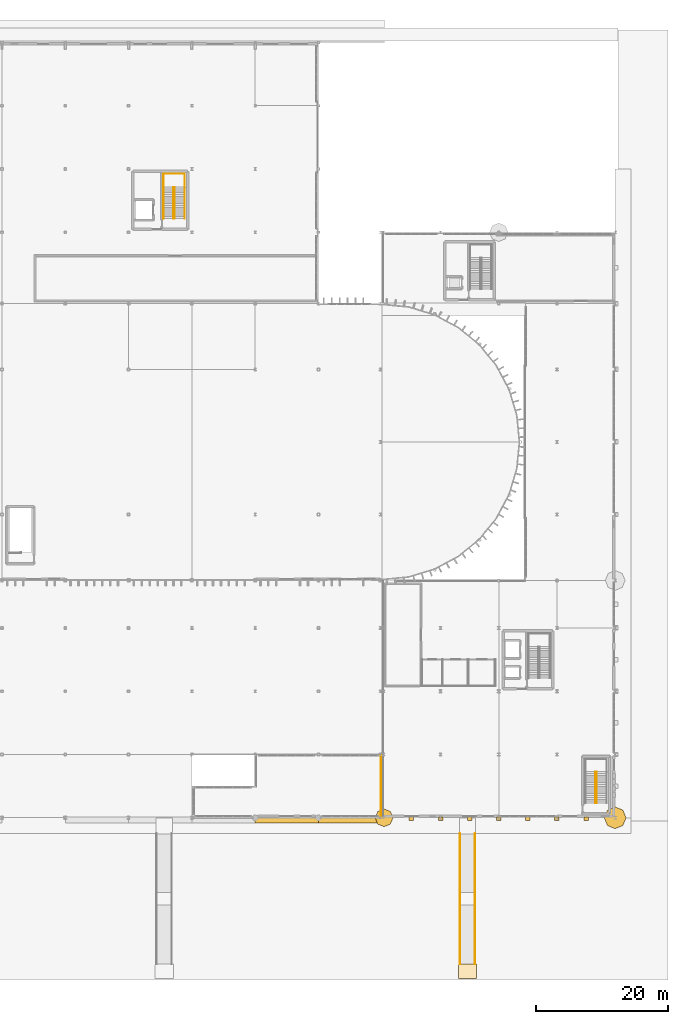
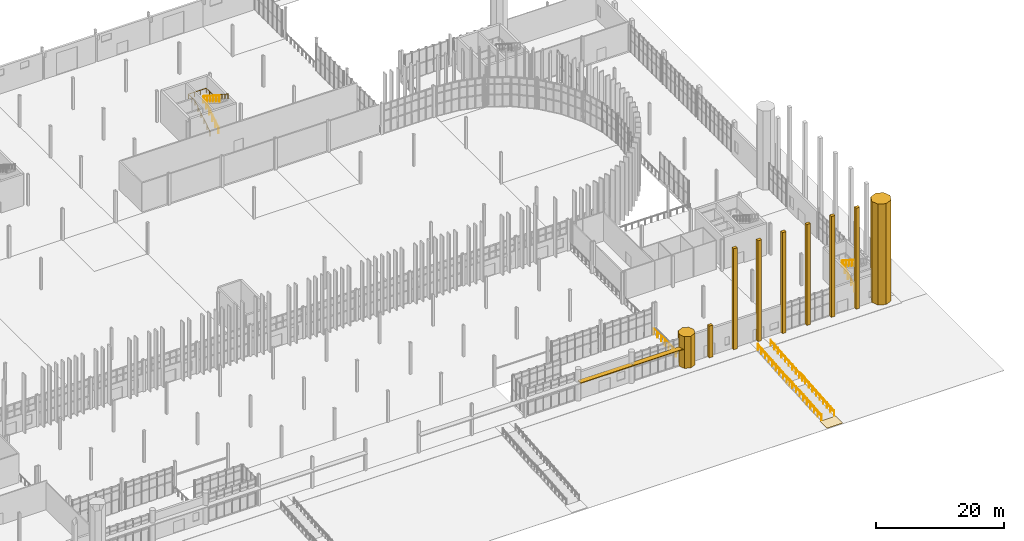
# One storey, part 127 of 139: 10 coverings, 8 railings, 2 shading devices.
"""IFC4 building model written with IfcOpenShell, lengths in metres."""

from ifc_helpers import new_model, si_unit, direction, frame, origin, origin_2d, place, context, subcontext, project, spatial, polyline, rectangle, circle, outline, extrude, material, layer, layer_set, type_object, element, save


model = new_model("IFC4")

# Units and contexts
model_context = context("Model", 3, precision=1e-05, world=origin(), true_north=direction((0.0, 1.0)))
body_context = subcontext(model_context, "Body", "Model", "MODEL_VIEW")
ifc_project = project(units=[si_unit("LENGTHUNIT", "METRE"), si_unit("AREAUNIT", "SQUARE_METRE"), si_unit("VOLUMEUNIT", "CUBIC_METRE"), si_unit("PLANEANGLEUNIT", "RADIAN"), si_unit("MASSUNIT", "GRAM", prefix="KILO")], contexts=[model_context])

# Site, building, storey
site_placement = place(None, origin())
site = spatial("IfcSite", under=ifc_project, at=site_placement, CompositionType="ELEMENT")
building_placement = place(site_placement, origin())
building = spatial("IfcBuilding", under=site, at=building_placement, Name="Yeouljin Market Hall", CompositionType="ELEMENT")
storey_placement = place(building_placement, origin())
storey = spatial("IfcBuildingStorey", under=building, at=storey_placement, Name="L00", CompositionType="ELEMENT", Elevation=0.0)

# Coverings
ifc_material_1 = material(Name="Clinker Brick Masonry F2-S2", Category="masonry")
ifc_layer_1 = layer(ifc_material_1, 0.5400390625)
ifc_layer_set_1 = layer_set([ifc_layer_1], Name="Clinker Brick Masonry F2-S2")
covering_type_1 = type_object("IfcCoveringType", Name="Covering_Clinker_PleatedPier", PredefinedType="CLADDING", material=ifc_layer_set_1)
covering_1_placement = place(storey_placement, origin())
element("IfcCovering", 1, at=covering_1_placement, inside=storey, type_object=covering_type_1, Name="Amsterdam School sculpted brick corner turret SE-MAIN", PredefinedType="CLADDING", context=body_context, shape_type="SweptSolid", body=[
    extrude(outline(polyline([(178.050048828125, 0.0), (177.566650390625, 1.166748046875), (176.39990234375, 1.64990234375), (175.2333984375, 1.166748046875), (174.75, 0.0), (175.2333984375, -1.166748046875), (176.39990234375, -1.64990234375), (177.566650390625, -1.166748046875), (178.050048828125, 0.0)])), origin(), (0.0, 0.0, 1.0), 19.25),
])
covering_2_placement = place(storey_placement, origin())
element("IfcCovering", 2, at=covering_2_placement, inside=storey, type_object=covering_type_1, Name="Amsterdam School sculpted brick corner turret PORT-E", PredefinedType="CLADDING", context=body_context, shape_type="SweptSolid", body=[
    extrude(outline(polyline([(142.699951171875, 0.0), (142.3046875, 0.95458984375), (141.35009765625, 1.35009765625), (140.3955078125, 0.95458984375), (140.0, 0.0), (140.3955078125, -0.95458984375), (141.35009765625, -1.35009765625), (142.3046875, -0.95458984375), (142.699951171875, 0.0)])), origin(), (0.0, 0.0, 1.0), 6.050048828125),
])
covering_3_placement = place(storey_placement, origin())
element("IfcCovering", 3, at=covering_3_placement, inside=storey, type_object=covering_type_1, Name="Pleated clinker-brick boulevard pier S-008", PredefinedType="CLADDING", context=body_context, shape_type="SweptSolid", body=[
    extrude(outline(polyline([(145.159912109375, -0.419921875), (145.840087890625, -0.419921875), (145.840087890625, 0.1201171875), (145.159912109375, 0.1201171875), (145.159912109375, -0.419921875)])), origin(), (0.0, 0.0, 1.0), 6.050048828125),
])
covering_4_placement = place(storey_placement, origin())
element("IfcCovering", 4, at=covering_4_placement, inside=storey, type_object=covering_type_1, Name="Pleated clinker-brick boulevard pier S-009", PredefinedType="CLADDING", context=body_context, shape_type="SweptSolid", body=[
    extrude(outline(polyline([(149.570068359375, -0.419921875), (150.25, -0.419921875), (150.25, 0.1201171875), (149.570068359375, 0.1201171875), (149.570068359375, -0.419921875)])), origin(), (0.0, 0.0, 1.0), 19.25),
])
covering_5_placement = place(storey_placement, origin())
element("IfcCovering", 5, at=covering_5_placement, inside=storey, type_object=covering_type_1, Name="Pleated clinker-brick boulevard pier S-010", PredefinedType="CLADDING", context=body_context, shape_type="SweptSolid", body=[
    extrude(outline(polyline([(153.97998046875, -0.419921875), (154.659912109375, -0.419921875), (154.659912109375, 0.1201171875), (153.97998046875, 0.1201171875), (153.97998046875, -0.419921875)])), origin(), (0.0, 0.0, 1.0), 19.25),
])
covering_6_placement = place(storey_placement, origin())
element("IfcCovering", 6, at=covering_6_placement, inside=storey, type_object=covering_type_1, Name="Pleated clinker-brick boulevard pier S-011", PredefinedType="CLADDING", context=body_context, shape_type="SweptSolid", body=[
    extrude(outline(polyline([(158.39990234375, -0.419921875), (159.080078125, -0.419921875), (159.080078125, 0.1201171875), (158.39990234375, 0.1201171875), (158.39990234375, -0.419921875)])), origin(), (0.0, 0.0, 1.0), 19.25),
])
covering_7_placement = place(storey_placement, origin())
element("IfcCovering", 7, at=covering_7_placement, inside=storey, type_object=covering_type_1, Name="Pleated clinker-brick boulevard pier S-012", PredefinedType="CLADDING", context=body_context, shape_type="SweptSolid", body=[
    extrude(outline(polyline([(162.81005859375, -0.419921875), (163.489990234375, -0.419921875), (163.489990234375, 0.1201171875), (162.81005859375, 0.1201171875), (162.81005859375, -0.419921875)])), origin(), (0.0, 0.0, 1.0), 19.25),
])
covering_8_placement = place(storey_placement, origin())
element("IfcCovering", 8, at=covering_8_placement, inside=storey, type_object=covering_type_1, Name="Pleated clinker-brick boulevard pier S-013", PredefinedType="CLADDING", context=body_context, shape_type="SweptSolid", body=[
    extrude(outline(polyline([(167.22998046875, -0.419921875), (167.909912109375, -0.419921875), (167.909912109375, 0.1201171875), (167.22998046875, 0.1201171875), (167.22998046875, -0.419921875)])), origin(), (0.0, 0.0, 1.0), 19.25),
])
covering_9_placement = place(storey_placement, origin())
element("IfcCovering", 9, at=covering_9_placement, inside=storey, type_object=covering_type_1, Name="Pleated clinker-brick boulevard pier S-014", PredefinedType="CLADDING", context=body_context, shape_type="SweptSolid", body=[
    extrude(outline(polyline([(171.659912109375, -0.419921875), (172.340087890625, -0.419921875), (172.340087890625, 0.1201171875), (171.659912109375, 0.1201171875), (171.659912109375, -0.419921875)])), origin(), (0.0, 0.0, 1.0), 19.25),
])
ifc_material_2 = material(Name="Pocheon Granite Stone", Category="masonry")
ifc_layer_2 = layer(ifc_material_2, 0.050048828125)
ifc_layer_set_2 = layer_set([ifc_layer_2], Name="Pocheon Granite Stone")
covering_type_2 = type_object("IfcCoveringType", Name="Covering_Granite_PlinthPaving", PredefinedType="FLOORING", material=ifc_layer_set_2)
covering_10_placement = place(storey_placement, frame((0.0, 0.0, -1.5400390625)))
element("IfcCovering", 10, at=covering_10_placement, inside=storey, type_object=covering_type_2, Name="Street sidewalk landing 04", PredefinedType="FLOORING", context=body_context, shape_type="SweptSolid", body=[
    extrude(outline(polyline([(152.60009765625, -24.39990234375), (155.39990234375, -24.39990234375), (155.39990234375, -22.199951171875), (152.60009765625, -22.199951171875), (152.60009765625, -24.39990234375)])), origin(), (0.0, 0.0, 1.0), 0.10009765625),
])

# Railings
ifc_material_3 = material(Name="Wrought Iron and Bronze Gallery Balustrade")
railing_type_1 = type_object("IfcRailingType", Name="Railing_AtriumBalustrade_1200", PredefinedType="BALUSTRADE", material=ifc_material_3)
railing_1_placement = place(storey_placement, frame((140.89990234375, 9.449951171875, 0.0)))
element("IfcRailing", 11, at=railing_1_placement, inside=storey, type_object=railing_type_1, Name="Gallery & deck edge balustrade L00-037", PredefinedType="BALUSTRADE", context=body_context, shape_type="SweptSolid", body=[
    extrude(circle(Radius=0.02392578125, at=origin_2d()), frame((0.0, 0.0, 1.17578125), z_axis=(0.0, -1.0, 0.0), x_axis=(1.0, 0.0, 0.0)), (0.0, 0.0, 1.0), 9.25),
    extrude(circle(Radius=0.02099609375, at=origin_2d()), origin(), (0.0, 0.0, 1.0), 1.15185546875),
    extrude(circle(Radius=0.02099609375, at=origin_2d()), frame((0.0, -1.15625, 0.0)), (0.0, 0.0, 1.0), 1.15185546875),
    extrude(circle(Radius=0.02099609375, at=origin_2d()), frame((0.0, -2.3125, 0.0)), (0.0, 0.0, 1.0), 1.15185546875),
    extrude(circle(Radius=0.02099609375, at=origin_2d()), frame((0.0, -3.46875, 0.0)), (0.0, 0.0, 1.0), 1.15185546875),
    extrude(circle(Radius=0.02099609375, at=origin_2d()), frame((0.0, -4.625, 0.0)), (0.0, 0.0, 1.0), 1.15185546875),
    extrude(circle(Radius=0.02099609375, at=origin_2d()), frame((0.0, -5.78125, 0.0)), (0.0, 0.0, 1.0), 1.15185546875),
    extrude(circle(Radius=0.02099609375, at=origin_2d()), frame((0.0, -6.9375, 0.0)), (0.0, 0.0, 1.0), 1.15185546875),
    extrude(circle(Radius=0.02099609375, at=origin_2d()), frame((0.0, -8.09375, 0.0)), (0.0, 0.0, 1.0), 1.15185546875),
    extrude(circle(Radius=0.02099609375, at=origin_2d()), frame((0.0, -9.25, 0.0)), (0.0, 0.0, 1.0), 1.15185546875),
])
ifc_material_4 = material(Name="Brushed Stainless Steel", Category="steel")
railing_type_2 = type_object("IfcRailingType", Name="Railing_RampHandrail_900", PredefinedType="HANDRAIL", material=ifc_material_4)
railing_2_placement = place(storey_placement, frame((152.85009765625, -22.199951171875, -1.43994140625)))
element("IfcRailing", 12, at=railing_2_placement, inside=storey, type_object=railing_type_2, Name="Pedestrian ramp 04 W handrail", PredefinedType="HANDRAIL", context=body_context, shape_type="SweptSolid", body=[
    extrude(circle(Radius=0.02392578125, at=origin_2d()), frame((0.0, 0.0, 0.8759765625), z_axis=(0.0, 0.996815536467, 0.079741998075), x_axis=(-1.0, 0.0, 0.0)), (0.0, 0.0, 1.0), 9.02880859375),
    extrude(circle(Radius=0.02392578125, at=origin_2d()), frame((0.0, 9.0, 1.595703125), z_axis=(0.0, 1.0, 0.0), x_axis=(-1.0, 0.0, 0.0)), (0.0, 0.0, 1.0), 1.800048828125),
    extrude(circle(Radius=0.02392578125, at=origin_2d()), frame((0.0, 10.800048828125, 1.595703125), z_axis=(0.0, 0.996815536467, 0.079741998075), x_axis=(-1.0, 0.0, 0.0)), (0.0, 0.0, 1.0), 9.02880859375),
    extrude(circle(Radius=0.02099609375, at=origin_2d()), origin(), (0.0, 0.0, 1.0), 0.851806640625),
    extrude(circle(Radius=0.02099609375, at=origin_2d()), frame((0.0, 1.125, 0.090087890625)), (0.0, 0.0, 1.0), 0.851806640625),
    extrude(circle(Radius=0.02099609375, at=origin_2d()), frame((0.0, 2.25, 0.179931640625)), (0.0, 0.0, 1.0), 0.851806640625),
    extrude(circle(Radius=0.02099609375, at=origin_2d()), frame((0.0, 3.375, 0.27001953125)), (0.0, 0.0, 1.0), 0.851806640625),
    extrude(circle(Radius=0.02099609375, at=origin_2d()), frame((0.0, 4.5, 0.35986328125)), (0.0, 0.0, 1.0), 0.851806640625),
    extrude(circle(Radius=0.02099609375, at=origin_2d()), frame((0.0, 5.625, 0.449951171875)), (0.0, 0.0, 1.0), 0.851806640625),
    extrude(circle(Radius=0.02099609375, at=origin_2d()), frame((0.0, 6.75, 0.5400390625)), (0.0, 0.0, 1.0), 0.851806640625),
    extrude(circle(Radius=0.02099609375, at=origin_2d()), frame((0.0, 7.875, 0.6298828125)), (0.0, 0.0, 1.0), 0.851806640625),
    extrude(circle(Radius=0.02099609375, at=origin_2d()), frame((0.0, 9.0, 0.719970703125)), (0.0, 0.0, 1.0), 0.851806640625),
    extrude(circle(Radius=0.02099609375, at=origin_2d()), frame((0.0, 9.89990234375, 0.719970703125)), (0.0, 0.0, 1.0), 0.851806640625),
    extrude(circle(Radius=0.02099609375, at=origin_2d()), frame((0.0, 10.800048828125, 0.719970703125)), (0.0, 0.0, 1.0), 0.851806640625),
    extrude(circle(Radius=0.02099609375, at=origin_2d()), frame((0.0, 11.925048828125, 0.81005859375)), (0.0, 0.0, 1.0), 0.851806640625),
    extrude(circle(Radius=0.02099609375, at=origin_2d()), frame((0.0, 13.050048828125, 0.89990234375)), (0.0, 0.0, 1.0), 0.851806640625),
    extrude(circle(Radius=0.02099609375, at=origin_2d()), frame((0.0, 14.175048828125, 0.989990234375)), (0.0, 0.0, 1.0), 0.851806640625),
    extrude(circle(Radius=0.02099609375, at=origin_2d()), frame((0.0, 15.300048828125, 1.080078125)), (0.0, 0.0, 1.0), 0.851806640625),
    extrude(circle(Radius=0.02099609375, at=origin_2d()), frame((0.0, 16.425048828125, 1.169921875)), (0.0, 0.0, 1.0), 0.851806640625),
    extrude(circle(Radius=0.02099609375, at=origin_2d()), frame((0.0, 17.550048828125, 1.260009765625)), (0.0, 0.0, 1.0), 0.851806640625),
    extrude(circle(Radius=0.02099609375, at=origin_2d()), frame((0.0, 18.675048828125, 1.349853515625)), (0.0, 0.0, 1.0), 0.851806640625),
    extrude(circle(Radius=0.02099609375, at=origin_2d()), frame((0.0, 19.800048828125, 1.43994140625)), (0.0, 0.0, 1.0), 0.851806640625),
])
railing_3_placement = place(storey_placement, frame((155.14990234375, -22.199951171875, -1.43994140625)))
element("IfcRailing", 13, at=railing_3_placement, inside=storey, type_object=railing_type_2, Name="Pedestrian ramp 04 E handrail", PredefinedType="HANDRAIL", context=body_context, shape_type="SweptSolid", body=[
    extrude(circle(Radius=0.02392578125, at=origin_2d()), frame((0.0, 0.0, 0.8759765625), z_axis=(0.0, 0.996815536467, 0.079741998075), x_axis=(-1.0, 0.0, 0.0)), (0.0, 0.0, 1.0), 9.02880859375),
    extrude(circle(Radius=0.02392578125, at=origin_2d()), frame((0.0, 9.0, 1.595703125), z_axis=(0.0, 1.0, 0.0), x_axis=(-1.0, 0.0, 0.0)), (0.0, 0.0, 1.0), 1.800048828125),
    extrude(circle(Radius=0.02392578125, at=origin_2d()), frame((0.0, 10.800048828125, 1.595703125), z_axis=(0.0, 0.996815536467, 0.079741998075), x_axis=(-1.0, 0.0, 0.0)), (0.0, 0.0, 1.0), 9.02880859375),
    extrude(circle(Radius=0.02099609375, at=origin_2d()), origin(), (0.0, 0.0, 1.0), 0.851806640625),
    extrude(circle(Radius=0.02099609375, at=origin_2d()), frame((0.0, 1.125, 0.090087890625)), (0.0, 0.0, 1.0), 0.851806640625),
    extrude(circle(Radius=0.02099609375, at=origin_2d()), frame((0.0, 2.25, 0.179931640625)), (0.0, 0.0, 1.0), 0.851806640625),
    extrude(circle(Radius=0.02099609375, at=origin_2d()), frame((0.0, 3.375, 0.27001953125)), (0.0, 0.0, 1.0), 0.851806640625),
    extrude(circle(Radius=0.02099609375, at=origin_2d()), frame((0.0, 4.5, 0.35986328125)), (0.0, 0.0, 1.0), 0.851806640625),
    extrude(circle(Radius=0.02099609375, at=origin_2d()), frame((0.0, 5.625, 0.449951171875)), (0.0, 0.0, 1.0), 0.851806640625),
    extrude(circle(Radius=0.02099609375, at=origin_2d()), frame((0.0, 6.75, 0.5400390625)), (0.0, 0.0, 1.0), 0.851806640625),
    extrude(circle(Radius=0.02099609375, at=origin_2d()), frame((0.0, 7.875, 0.6298828125)), (0.0, 0.0, 1.0), 0.851806640625),
    extrude(circle(Radius=0.02099609375, at=origin_2d()), frame((0.0, 9.0, 0.719970703125)), (0.0, 0.0, 1.0), 0.851806640625),
    extrude(circle(Radius=0.02099609375, at=origin_2d()), frame((0.0, 9.89990234375, 0.719970703125)), (0.0, 0.0, 1.0), 0.851806640625),
    extrude(circle(Radius=0.02099609375, at=origin_2d()), frame((0.0, 10.800048828125, 0.719970703125)), (0.0, 0.0, 1.0), 0.851806640625),
    extrude(circle(Radius=0.02099609375, at=origin_2d()), frame((0.0, 11.925048828125, 0.81005859375)), (0.0, 0.0, 1.0), 0.851806640625),
    extrude(circle(Radius=0.02099609375, at=origin_2d()), frame((0.0, 13.050048828125, 0.89990234375)), (0.0, 0.0, 1.0), 0.851806640625),
    extrude(circle(Radius=0.02099609375, at=origin_2d()), frame((0.0, 14.175048828125, 0.989990234375)), (0.0, 0.0, 1.0), 0.851806640625),
    extrude(circle(Radius=0.02099609375, at=origin_2d()), frame((0.0, 15.300048828125, 1.080078125)), (0.0, 0.0, 1.0), 0.851806640625),
    extrude(circle(Radius=0.02099609375, at=origin_2d()), frame((0.0, 16.425048828125, 1.169921875)), (0.0, 0.0, 1.0), 0.851806640625),
    extrude(circle(Radius=0.02099609375, at=origin_2d()), frame((0.0, 17.550048828125, 1.260009765625)), (0.0, 0.0, 1.0), 0.851806640625),
    extrude(circle(Radius=0.02099609375, at=origin_2d()), frame((0.0, 18.675048828125, 1.349853515625)), (0.0, 0.0, 1.0), 0.851806640625),
    extrude(circle(Radius=0.02099609375, at=origin_2d()), frame((0.0, 19.800048828125, 1.43994140625)), (0.0, 0.0, 1.0), 0.851806640625),
])
ifc_material_5 = material(Name="Painted Steel Stair Guardrail", Category="steel")
railing_type_3 = type_object("IfcRailingType", Name="Railing_StairGuard_1200", PredefinedType="GUARDRAIL", material=ifc_material_5)
railing_4_placement = place(storey_placement, frame((109.419921875, 90.89990234375, 0.0)))
element("IfcRailing", 14, at=railing_4_placement, inside=storey, type_object=railing_type_3, Name="Stair ST-C6-L00 inner well guardrail", PredefinedType="GUARDRAIL", context=body_context, shape_type="SweptSolid", body=[
    extrude(circle(Radius=0.02392578125, at=origin_2d()), frame((0.0, 0.0, 1.17578125), z_axis=(0.0, 0.843966914778, 0.536395233723), x_axis=(-1.0, 0.0, 0.0)), (0.0, 0.0, 1.0), 5.5927734375),
    extrude(circle(Radius=0.02392578125, at=origin_2d()), frame((0.0, 4.72021484375, 4.17578125), z_axis=(1.0, 0.0, 0.0), x_axis=(0.0, 1.0, 0.0)), (0.0, 0.0, 1.0), 0.16015625),
    extrude(circle(Radius=0.02392578125, at=origin_2d()), frame((0.16015625, 4.72021484375, 4.17578125), z_axis=(0.0, -0.843966914778, 0.536395233723), x_axis=(1.0, 0.0, 0.0)), (0.0, 0.0, 1.0), 5.5927734375),
    extrude(circle(Radius=0.02099609375, at=origin_2d()), origin(), (0.0, 0.0, 1.0), 1.15185546875),
    extrude(circle(Radius=0.02099609375, at=origin_2d()), frame((0.0, 0.944091796875, 0.60009765625)), (0.0, 0.0, 1.0), 1.15185546875),
    extrude(circle(Radius=0.02099609375, at=origin_2d()), frame((0.0, 1.88818359375, 1.199951171875)), (0.0, 0.0, 1.0), 1.15185546875),
    extrude(circle(Radius=0.02099609375, at=origin_2d()), frame((0.0, 2.83203125, 1.800048828125)), (0.0, 0.0, 1.0), 1.15185546875),
    extrude(circle(Radius=0.02099609375, at=origin_2d()), frame((0.0, 3.776123046875, 2.39990234375)), (0.0, 0.0, 1.0), 1.15185546875),
    extrude(circle(Radius=0.02099609375, at=origin_2d()), frame((0.0, 4.72021484375, 3.0)), (0.0, 0.0, 1.0), 1.15185546875),
    extrude(circle(Radius=0.02099609375, at=origin_2d()), frame((0.16015625, 4.72021484375, 3.0)), (0.0, 0.0, 1.0), 1.15185546875),
    extrude(circle(Radius=0.02099609375, at=origin_2d()), frame((0.16015625, 3.776123046875, 3.60009765625)), (0.0, 0.0, 1.0), 1.15185546875),
    extrude(circle(Radius=0.02099609375, at=origin_2d()), frame((0.16015625, 2.83203125, 4.199951171875)), (0.0, 0.0, 1.0), 1.15185546875),
    extrude(circle(Radius=0.02099609375, at=origin_2d()), frame((0.16015625, 1.88818359375, 4.800048828125)), (0.0, 0.0, 1.0), 1.15185546875),
    extrude(circle(Radius=0.02099609375, at=origin_2d()), frame((0.16015625, 0.944091796875, 5.39990234375)), (0.0, 0.0, 1.0), 1.15185546875),
    extrude(circle(Radius=0.02099609375, at=origin_2d()), frame((0.16015625, 0.0, 6.0)), (0.0, 0.0, 1.0), 1.15185546875),
])
railing_5_placement = place(storey_placement, frame((173.419921875, 2.25, 0.0)))
element("IfcRailing", 15, at=railing_5_placement, inside=storey, type_object=railing_type_3, Name="Stair ST-S8-L00 inner well guardrail", PredefinedType="GUARDRAIL", context=body_context, shape_type="SweptSolid", body=[
    extrude(circle(Radius=0.02392578125, at=origin_2d()), frame((0.0, 0.0, 1.17578125), z_axis=(0.0, 0.84395435455, 0.536414995537), x_axis=(-1.0, 0.0, 0.0)), (0.0, 0.0, 1.0), 5.5927734375),
    extrude(circle(Radius=0.02392578125, at=origin_2d()), frame((0.0, 4.719970703125, 4.17578125), z_axis=(1.0, 0.0, 0.0), x_axis=(0.0, 1.0, 0.0)), (0.0, 0.0, 1.0), 0.16015625),
    extrude(circle(Radius=0.02392578125, at=origin_2d()), frame((0.16015625, 4.719970703125, 4.17578125), z_axis=(0.0, -0.84395435455, 0.536414995537), x_axis=(1.0, 0.0, 0.0)), (0.0, 0.0, 1.0), 5.5927734375),
    extrude(circle(Radius=0.02099609375, at=origin_2d()), origin(), (0.0, 0.0, 1.0), 1.15185546875),
    extrude(circle(Radius=0.02099609375, at=origin_2d()), frame((0.0, 0.944091796875, 0.60009765625)), (0.0, 0.0, 1.0), 1.15185546875),
    extrude(circle(Radius=0.02099609375, at=origin_2d()), frame((0.0, 1.887939453125, 1.199951171875)), (0.0, 0.0, 1.0), 1.15185546875),
    extrude(circle(Radius=0.02099609375, at=origin_2d()), frame((0.0, 2.83203125, 1.800048828125)), (0.0, 0.0, 1.0), 1.15185546875),
    extrude(circle(Radius=0.02099609375, at=origin_2d()), frame((0.0, 3.77587890625, 2.39990234375)), (0.0, 0.0, 1.0), 1.15185546875),
    extrude(circle(Radius=0.02099609375, at=origin_2d()), frame((0.0, 4.719970703125, 3.0)), (0.0, 0.0, 1.0), 1.15185546875),
    extrude(circle(Radius=0.02099609375, at=origin_2d()), frame((0.16015625, 4.719970703125, 3.0)), (0.0, 0.0, 1.0), 1.15185546875),
    extrude(circle(Radius=0.02099609375, at=origin_2d()), frame((0.16015625, 3.77587890625, 3.60009765625)), (0.0, 0.0, 1.0), 1.15185546875),
    extrude(circle(Radius=0.02099609375, at=origin_2d()), frame((0.16015625, 2.83203125, 4.199951171875)), (0.0, 0.0, 1.0), 1.15185546875),
    extrude(circle(Radius=0.02099609375, at=origin_2d()), frame((0.16015625, 1.887939453125, 4.800048828125)), (0.0, 0.0, 1.0), 1.15185546875),
    extrude(circle(Radius=0.02099609375, at=origin_2d()), frame((0.16015625, 0.944091796875, 5.39990234375)), (0.0, 0.0, 1.0), 1.15185546875),
    extrude(circle(Radius=0.02099609375, at=origin_2d()), frame((0.16015625, 0.0, 6.0)), (0.0, 0.0, 1.0), 1.15185546875),
])
ifc_material_6 = material(Name="Brushed Stainless Steel", Category="steel")
railing_type_4 = type_object("IfcRailingType", Name="Railing_StairHandrail_900", PredefinedType="HANDRAIL", material=ifc_material_6)
railing_6_placement = place(storey_placement, frame((107.8798828125, 90.89990234375, 0.0)))
element("IfcRailing", 16, at=railing_6_placement, inside=storey, type_object=railing_type_4, Name="Stair ST-C6-L00 wall handrail", PredefinedType="HANDRAIL", context=body_context, shape_type="SweptSolid", body=[
    extrude(circle(Radius=0.02392578125, at=origin_2d()), frame((0.0, 0.0, 0.8759765625), z_axis=(0.0, 0.843966914778, 0.536395233723), x_axis=(-1.0, 0.0, 0.0)), (0.0, 0.0, 1.0), 5.5927734375),
    extrude(circle(Radius=0.02392578125, at=origin_2d()), frame((0.0, 4.72021484375, 3.8759765625), z_axis=(0.0, 1.0, 0.0), x_axis=(-1.0, 0.0, 0.0)), (0.0, 0.0, 1.0), 2.0498046875),
    extrude(circle(Radius=0.02392578125, at=origin_2d()), frame((0.0, 6.77001953125, 3.8759765625), z_axis=(1.0, 0.0, 0.0), x_axis=(0.0, 1.0, 0.0)), (0.0, 0.0, 1.0), 3.240234375),
    extrude(circle(Radius=0.02392578125, at=origin_2d()), frame((3.240234375, 6.77001953125, 3.8759765625), z_axis=(0.0, -1.0, 0.0), x_axis=(1.0, 0.0, 0.0)), (0.0, 0.0, 1.0), 2.0498046875),
    extrude(circle(Radius=0.02392578125, at=origin_2d()), frame((3.240234375, 4.72021484375, 3.8759765625), z_axis=(0.0, -0.843966914778, 0.536395233723), x_axis=(1.0, 0.0, 0.0)), (0.0, 0.0, 1.0), 5.5927734375),
    extrude(circle(Radius=0.02099609375, at=origin_2d()), origin(), (0.0, 0.0, 1.0), 0.851806640625),
    extrude(circle(Radius=0.02099609375, at=origin_2d()), frame((0.0, 0.944091796875, 0.60009765625)), (0.0, 0.0, 1.0), 0.851806640625),
    extrude(circle(Radius=0.02099609375, at=origin_2d()), frame((0.0, 1.88818359375, 1.199951171875)), (0.0, 0.0, 1.0), 0.851806640625),
    extrude(circle(Radius=0.02099609375, at=origin_2d()), frame((0.0, 2.83203125, 1.800048828125)), (0.0, 0.0, 1.0), 0.851806640625),
    extrude(circle(Radius=0.02099609375, at=origin_2d()), frame((0.0, 3.776123046875, 2.39990234375)), (0.0, 0.0, 1.0), 0.851806640625),
    extrude(circle(Radius=0.02099609375, at=origin_2d()), frame((0.0, 4.72021484375, 3.0)), (0.0, 0.0, 1.0), 0.851806640625),
    extrude(circle(Radius=0.02099609375, at=origin_2d()), frame((0.0, 5.7451171875, 3.0)), (0.0, 0.0, 1.0), 0.851806640625),
    extrude(circle(Radius=0.02099609375, at=origin_2d()), frame((0.0, 6.77001953125, 3.0)), (0.0, 0.0, 1.0), 0.851806640625),
    extrude(circle(Radius=0.02099609375, at=origin_2d()), frame((1.080078125, 6.77001953125, 3.0)), (0.0, 0.0, 1.0), 0.851806640625),
    extrude(circle(Radius=0.02099609375, at=origin_2d()), frame((2.16015625, 6.77001953125, 3.0)), (0.0, 0.0, 1.0), 0.851806640625),
    extrude(circle(Radius=0.02099609375, at=origin_2d()), frame((3.240234375, 6.77001953125, 3.0)), (0.0, 0.0, 1.0), 0.851806640625),
    extrude(circle(Radius=0.02099609375, at=origin_2d()), frame((3.240234375, 5.7451171875, 3.0)), (0.0, 0.0, 1.0), 0.851806640625),
    extrude(circle(Radius=0.02099609375, at=origin_2d()), frame((3.240234375, 4.72021484375, 3.0)), (0.0, 0.0, 1.0), 0.851806640625),
    extrude(circle(Radius=0.02099609375, at=origin_2d()), frame((3.240234375, 3.776123046875, 3.60009765625)), (0.0, 0.0, 1.0), 0.851806640625),
    extrude(circle(Radius=0.02099609375, at=origin_2d()), frame((3.240234375, 2.83203125, 4.199951171875)), (0.0, 0.0, 1.0), 0.851806640625),
    extrude(circle(Radius=0.02099609375, at=origin_2d()), frame((3.240234375, 1.88818359375, 4.800048828125)), (0.0, 0.0, 1.0), 0.851806640625),
    extrude(circle(Radius=0.02099609375, at=origin_2d()), frame((3.240234375, 0.944091796875, 5.39990234375)), (0.0, 0.0, 1.0), 0.851806640625),
    extrude(circle(Radius=0.02099609375, at=origin_2d()), frame((3.240234375, 0.0, 6.0)), (0.0, 0.0, 1.0), 0.851806640625),
])
ifc_material_7 = material(Name="Architectural Bronze Balustrade")
railing_type_5 = type_object("IfcRailingType", Name="Railing_TerraceGuard_1200", PredefinedType="GUARDRAIL", material=ifc_material_7)
railing_7_placement = place(storey_placement, frame((152.85009765625, -22.199951171875, -1.43994140625)))
element("IfcRailing", 17, at=railing_7_placement, inside=storey, type_object=railing_type_5, Name="Pedestrian ramp 04 W guardrail", PredefinedType="GUARDRAIL", context=body_context, shape_type="SweptSolid", body=[
    extrude(circle(Radius=0.02392578125, at=origin_2d()), frame((0.0, 0.0, 1.17578125), z_axis=(0.0, 0.996815536467, 0.079741998075), x_axis=(-1.0, 0.0, 0.0)), (0.0, 0.0, 1.0), 9.02880859375),
    extrude(circle(Radius=0.02392578125, at=origin_2d()), frame((0.0, 9.0, 1.89599609375), z_axis=(0.0, 1.0, 0.0), x_axis=(-1.0, 0.0, 0.0)), (0.0, 0.0, 1.0), 1.800048828125),
    extrude(circle(Radius=0.02392578125, at=origin_2d()), frame((0.0, 10.800048828125, 1.89599609375), z_axis=(0.0, 0.996815536467, 0.079741998075), x_axis=(-1.0, 0.0, 0.0)), (0.0, 0.0, 1.0), 9.02880859375),
    extrude(circle(Radius=0.02099609375, at=origin_2d()), origin(), (0.0, 0.0, 1.0), 1.15185546875),
    extrude(circle(Radius=0.02099609375, at=origin_2d()), frame((0.0, 1.125, 0.090087890625)), (0.0, 0.0, 1.0), 1.15185546875),
    extrude(circle(Radius=0.02099609375, at=origin_2d()), frame((0.0, 2.25, 0.179931640625)), (0.0, 0.0, 1.0), 1.15185546875),
    extrude(circle(Radius=0.02099609375, at=origin_2d()), frame((0.0, 3.375, 0.27001953125)), (0.0, 0.0, 1.0), 1.15185546875),
    extrude(circle(Radius=0.02099609375, at=origin_2d()), frame((0.0, 4.5, 0.35986328125)), (0.0, 0.0, 1.0), 1.15185546875),
    extrude(circle(Radius=0.02099609375, at=origin_2d()), frame((0.0, 5.625, 0.449951171875)), (0.0, 0.0, 1.0), 1.15185546875),
    extrude(circle(Radius=0.02099609375, at=origin_2d()), frame((0.0, 6.75, 0.5400390625)), (0.0, 0.0, 1.0), 1.15185546875),
    extrude(circle(Radius=0.02099609375, at=origin_2d()), frame((0.0, 7.875, 0.6298828125)), (0.0, 0.0, 1.0), 1.15185546875),
    extrude(circle(Radius=0.02099609375, at=origin_2d()), frame((0.0, 9.0, 0.719970703125)), (0.0, 0.0, 1.0), 1.15185546875),
    extrude(circle(Radius=0.02099609375, at=origin_2d()), frame((0.0, 9.89990234375, 0.719970703125)), (0.0, 0.0, 1.0), 1.15185546875),
    extrude(circle(Radius=0.02099609375, at=origin_2d()), frame((0.0, 10.800048828125, 0.719970703125)), (0.0, 0.0, 1.0), 1.15185546875),
    extrude(circle(Radius=0.02099609375, at=origin_2d()), frame((0.0, 11.925048828125, 0.81005859375)), (0.0, 0.0, 1.0), 1.15185546875),
    extrude(circle(Radius=0.02099609375, at=origin_2d()), frame((0.0, 13.050048828125, 0.89990234375)), (0.0, 0.0, 1.0), 1.15185546875),
    extrude(circle(Radius=0.02099609375, at=origin_2d()), frame((0.0, 14.175048828125, 0.989990234375)), (0.0, 0.0, 1.0), 1.15185546875),
    extrude(circle(Radius=0.02099609375, at=origin_2d()), frame((0.0, 15.300048828125, 1.080078125)), (0.0, 0.0, 1.0), 1.15185546875),
    extrude(circle(Radius=0.02099609375, at=origin_2d()), frame((0.0, 16.425048828125, 1.169921875)), (0.0, 0.0, 1.0), 1.15185546875),
    extrude(circle(Radius=0.02099609375, at=origin_2d()), frame((0.0, 17.550048828125, 1.260009765625)), (0.0, 0.0, 1.0), 1.15185546875),
    extrude(circle(Radius=0.02099609375, at=origin_2d()), frame((0.0, 18.675048828125, 1.349853515625)), (0.0, 0.0, 1.0), 1.15185546875),
    extrude(circle(Radius=0.02099609375, at=origin_2d()), frame((0.0, 19.800048828125, 1.43994140625)), (0.0, 0.0, 1.0), 1.15185546875),
])
railing_8_placement = place(storey_placement, frame((155.14990234375, -22.199951171875, -1.43994140625)))
element("IfcRailing", 18, at=railing_8_placement, inside=storey, type_object=railing_type_5, Name="Pedestrian ramp 04 E guardrail", PredefinedType="GUARDRAIL", context=body_context, shape_type="SweptSolid", body=[
    extrude(circle(Radius=0.02392578125, at=origin_2d()), frame((0.0, 0.0, 1.17578125), z_axis=(0.0, 0.996815536467, 0.079741998075), x_axis=(-1.0, 0.0, 0.0)), (0.0, 0.0, 1.0), 9.02880859375),
    extrude(circle(Radius=0.02392578125, at=origin_2d()), frame((0.0, 9.0, 1.89599609375), z_axis=(0.0, 1.0, 0.0), x_axis=(-1.0, 0.0, 0.0)), (0.0, 0.0, 1.0), 1.800048828125),
    extrude(circle(Radius=0.02392578125, at=origin_2d()), frame((0.0, 10.800048828125, 1.89599609375), z_axis=(0.0, 0.996815536467, 0.079741998075), x_axis=(-1.0, 0.0, 0.0)), (0.0, 0.0, 1.0), 9.02880859375),
    extrude(circle(Radius=0.02099609375, at=origin_2d()), origin(), (0.0, 0.0, 1.0), 1.15185546875),
    extrude(circle(Radius=0.02099609375, at=origin_2d()), frame((0.0, 1.125, 0.090087890625)), (0.0, 0.0, 1.0), 1.15185546875),
    extrude(circle(Radius=0.02099609375, at=origin_2d()), frame((0.0, 2.25, 0.179931640625)), (0.0, 0.0, 1.0), 1.15185546875),
    extrude(circle(Radius=0.02099609375, at=origin_2d()), frame((0.0, 3.375, 0.27001953125)), (0.0, 0.0, 1.0), 1.15185546875),
    extrude(circle(Radius=0.02099609375, at=origin_2d()), frame((0.0, 4.5, 0.35986328125)), (0.0, 0.0, 1.0), 1.15185546875),
    extrude(circle(Radius=0.02099609375, at=origin_2d()), frame((0.0, 5.625, 0.449951171875)), (0.0, 0.0, 1.0), 1.15185546875),
    extrude(circle(Radius=0.02099609375, at=origin_2d()), frame((0.0, 6.75, 0.5400390625)), (0.0, 0.0, 1.0), 1.15185546875),
    extrude(circle(Radius=0.02099609375, at=origin_2d()), frame((0.0, 7.875, 0.6298828125)), (0.0, 0.0, 1.0), 1.15185546875),
    extrude(circle(Radius=0.02099609375, at=origin_2d()), frame((0.0, 9.0, 0.719970703125)), (0.0, 0.0, 1.0), 1.15185546875),
    extrude(circle(Radius=0.02099609375, at=origin_2d()), frame((0.0, 9.89990234375, 0.719970703125)), (0.0, 0.0, 1.0), 1.15185546875),
    extrude(circle(Radius=0.02099609375, at=origin_2d()), frame((0.0, 10.800048828125, 0.719970703125)), (0.0, 0.0, 1.0), 1.15185546875),
    extrude(circle(Radius=0.02099609375, at=origin_2d()), frame((0.0, 11.925048828125, 0.81005859375)), (0.0, 0.0, 1.0), 1.15185546875),
    extrude(circle(Radius=0.02099609375, at=origin_2d()), frame((0.0, 13.050048828125, 0.89990234375)), (0.0, 0.0, 1.0), 1.15185546875),
    extrude(circle(Radius=0.02099609375, at=origin_2d()), frame((0.0, 14.175048828125, 0.989990234375)), (0.0, 0.0, 1.0), 1.15185546875),
    extrude(circle(Radius=0.02099609375, at=origin_2d()), frame((0.0, 15.300048828125, 1.080078125)), (0.0, 0.0, 1.0), 1.15185546875),
    extrude(circle(Radius=0.02099609375, at=origin_2d()), frame((0.0, 16.425048828125, 1.169921875)), (0.0, 0.0, 1.0), 1.15185546875),
    extrude(circle(Radius=0.02099609375, at=origin_2d()), frame((0.0, 17.550048828125, 1.260009765625)), (0.0, 0.0, 1.0), 1.15185546875),
    extrude(circle(Radius=0.02099609375, at=origin_2d()), frame((0.0, 18.675048828125, 1.349853515625)), (0.0, 0.0, 1.0), 1.15185546875),
    extrude(circle(Radius=0.02099609375, at=origin_2d()), frame((0.0, 19.800048828125, 1.43994140625)), (0.0, 0.0, 1.0), 1.15185546875),
])

# Shading devices
ifc_material_8 = material(Name="Bronze Brise-Soleil Louvre")
shading_device_type = type_object("IfcShadingDeviceType", Name="SolarFin_ClinkerBronze_880", PredefinedType="JALOUSIE", material=ifc_material_8)
for number, where, z_axis, x_axis, name in (
    (19, (126.60009765625, -0.320068359375, 3.47998046875), (0.0, 0.0, 1.0), (1.0, 0.0, 0.0), "Boulevard entrance brise-soleil louvre 09"),
    (20, (136.199951171875, -0.320068359375, 3.47998046875), (0.0, 0.0, 1.0), (1.0, 0.0, 0.0), "Boulevard entrance brise-soleil louvre 10"),
):
    element("IfcShadingDevice", number, at=place(storey_placement, frame(where, z_axis=z_axis, x_axis=x_axis)), inside=storey, type_object=shading_device_type, Name=name, PredefinedType="JALOUSIE", context=body_context, shape_type="SweptSolid", body=[
        extrude(rectangle(XDim=9.60009765625, YDim=0.8798828125, at=origin_2d()), origin(), (0.0, 0.0, 1.0), 0.139892578125),
    ])

save(model, "model.ifc")
